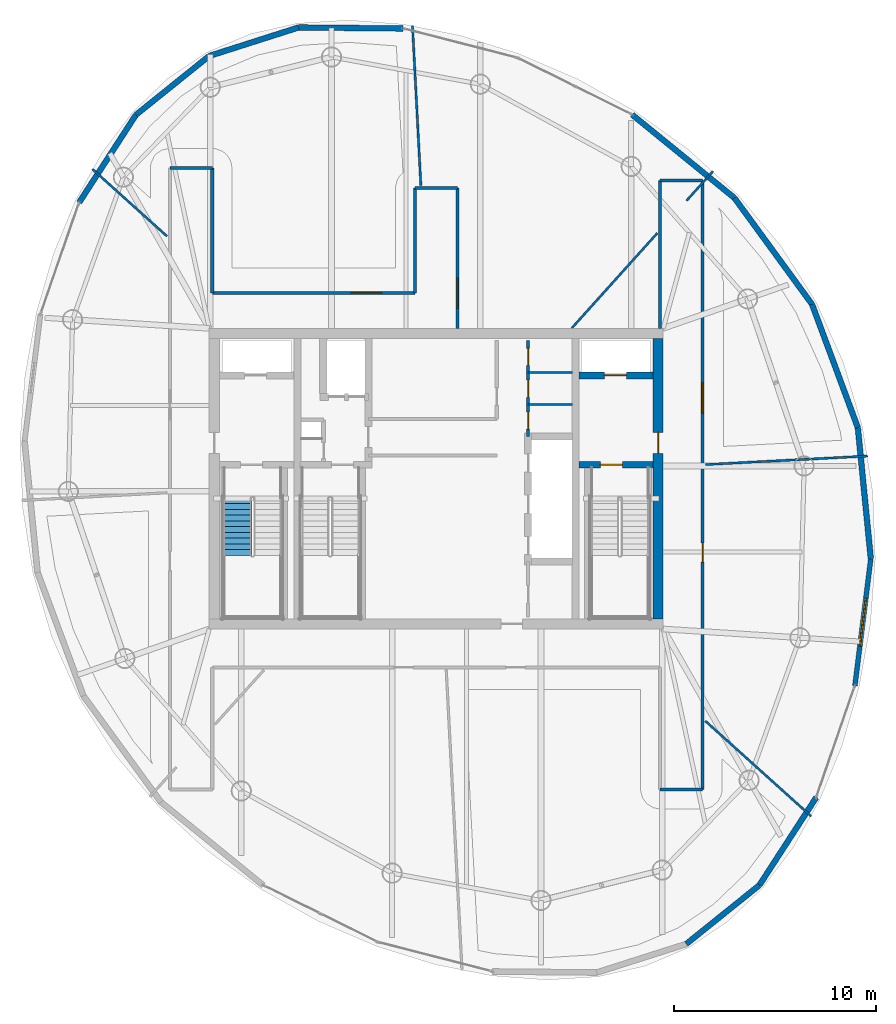
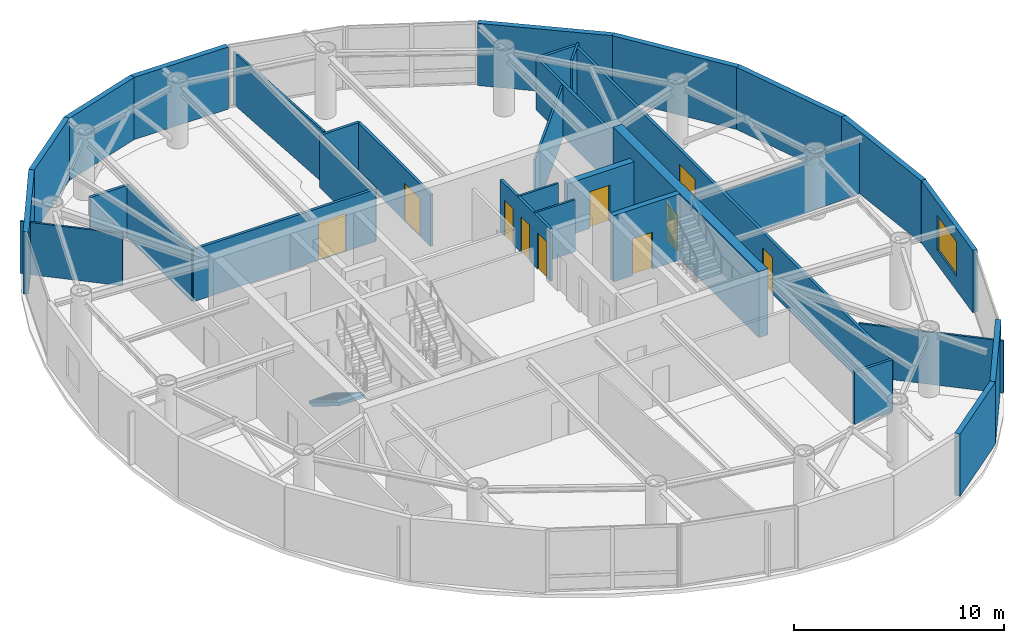
# One storey, part 13 of 17: 33 walls, 10 doors, 1 stair flight, 1 window, 11 openings, 1 element without a shape of its own.
"""IFC4 building model written with IfcOpenShell, lengths in metres."""

from ifc_helpers import new_model, si_unit, direction, frame, frame_2d, origin, place, context, subcontext, project, spatial, polyline, rectangle, outline, extrude, material, layer, layer_set, type_object, element, fill, aggregate, save


model = new_model("IFC4")

# Units and contexts
model_context = context("Model", 3, precision=1e-05, world=origin(), true_north=direction((0.0, 1.0)))
body_context = subcontext(model_context, "Body", "Model", "MODEL_VIEW")
ifc_project = project(units=[si_unit("LENGTHUNIT", "METRE"), si_unit("AREAUNIT", "SQUARE_METRE"), si_unit("VOLUMEUNIT", "CUBIC_METRE"), si_unit("PLANEANGLEUNIT", "RADIAN"), si_unit("MASSUNIT", "GRAM", prefix="KILO")], contexts=[model_context])

# Site, building, storey
site_placement = place(None, origin())
site = spatial("IfcSite", under=ifc_project, at=site_placement, CompositionType="ELEMENT")
building_placement = place(site_placement, origin())
building = spatial("IfcBuilding", under=site, at=building_placement, Name="Bramvorn Convention Spire", CompositionType="ELEMENT")
storey_placement = place(building_placement, frame((0.0, 0.0, 280.550048828125)))
storey = spatial("IfcBuildingStorey", under=building, at=storey_placement, Name="L71", CompositionType="ELEMENT", Elevation=280.550048828125)

# Wall, opening, door
ifc_material_1 = material(Name="Concrete C50/60", Category="concrete")
ifc_layer_1 = layer(ifc_material_1, 0.5)
ifc_layer_set_1 = layer_set([ifc_layer_1], Name="Concrete C50/60 - WL-CORE-500")
wall_type_1 = type_object("IfcWallType", Name="WL-CORE-500", PredefinedType="SHEAR", material=ifc_layer_set_1)
wall_1_placement = place(storey_placement, frame((49.0, 19.050048828125, 0.0), z_axis=(0.0, 0.0, 1.0), x_axis=(0.0, 1.0, 0.0)))
wall_1 = element("IfcWall", 1, at=wall_1_placement, inside=storey, type_object=wall_type_1, Name="L71 East RC core shear wall", PredefinedType="SHEAR", context=body_context, shape_type="SweptSolid", body=[
    extrude(rectangle(XDim=13.89990234375, YDim=0.5, at=frame_2d((6.949951171875, 0.0))), origin(), (0.0, 0.0, 1.0), 3.849853515625),
])
opening_1_placement = place(wall_1_placement, frame((8.199951171875, 0.0, 0.0)))
opening_1 = element("IfcOpeningElement", 2, at=opening_1_placement, cuts=wall_1, Name="Opening DL-105", PredefinedType="OPENING", context=body_context, shape_type="SweptSolid", body=[
    extrude(rectangle(XDim=1.050048828125, YDim=2.14990234375, at=frame_2d((0.52490234375, 1.074951171875))), frame((0.0, 0.260009765625, 0.0), z_axis=(0.0, -1.0, 0.0), x_axis=(1.0, 0.0, 0.0)), (0.0, 0.0, 1.0), 0.52001953125),
])
ifc_material_2 = material(Name="Smoke-Sealed Fire Lobby Timber-Core Door", Category="wood")
door_type_1 = type_object("IfcDoorType", Name="DR-LOBBY-1050", OperationType="NOTDEFINED", PredefinedType="DOOR", material=ifc_material_2)
door_1_placement = place(opening_1_placement, origin())
door_1 = element("IfcDoor", 3, at=door_1_placement, inside=storey, type_object=door_type_1, Name="L71 East Firefighting Lobby corridor door", OperationType="SINGLE_SWING_LEFT", OverallHeight=2.14990234375, OverallWidth=1.050048828125, PredefinedType="DOOR", context=body_context, shape_type="SweptSolid", body=[
    extrude(rectangle(XDim=1.050048828125, YDim=2.14990234375, at=frame_2d((0.52490234375, 1.074951171875))), frame((0.0, 0.02490234375, 0.0), z_axis=(0.0, -1.0, 0.0), x_axis=(1.0, 0.0, 0.0)), (0.0, 0.0, 1.0), 0.050048828125),
])
fill(opening_1, door_1)

ifc_layer_2 = layer(ifc_material_1, 0.35009765625)
ifc_layer_set_2 = layer_set([ifc_layer_2], Name="Concrete C50/60 - WL-CORE-INT-350")
wall_type_2 = type_object("IfcWallType", Name="WL-CORE-INT-350", PredefinedType="SHEAR", material=ifc_layer_set_2)
wall_2_placement = place(storey_placement, frame((45.080078125, 31.1201171875, 0.0), z_axis=(0.0, 0.0, 1.0), x_axis=(1.0, 0.0, 0.0)))
wall_2 = element("IfcWall", 4, at=wall_2_placement, inside=storey, type_object=wall_type_2, Name="L71 FE2 shaft front wall", PredefinedType="SHEAR", context=body_context, shape_type="SweptSolid", body=[
    extrude(rectangle(XDim=3.669921875, YDim=0.35009765625, at=frame_2d((1.8349609375, 0.0))), origin(), (0.0, 0.0, 1.0), 3.0400390625),
])
opening_2_placement = place(wall_2_placement, frame((1.25, 0.0, 0.0)))
opening_2 = element("IfcOpeningElement", 5, at=opening_2_placement, cuts=wall_2, Name="Opening LD-110", PredefinedType="OPENING", context=body_context, shape_type="SweptSolid", body=[
    extrude(rectangle(XDim=1.10009765625, YDim=2.14990234375, at=frame_2d((0.550048828125, 1.074951171875))), frame((0.0, 0.18505859375, 0.0), z_axis=(0.0, -1.0, 0.0), x_axis=(1.0, 0.0, 0.0)), (0.0, 0.0, 1.0), 0.3701171875),
])
ifc_material_3 = material(Name="Firefighting & Service Lift Sliding Landing Door", Category="steel")
door_type_2 = type_object("IfcDoorType", Name="DR-LIFT-LD-1100", OperationType="NOTDEFINED", PredefinedType="DOOR", material=ifc_material_3)
door_2_placement = place(opening_2_placement, origin())
door_2 = element("IfcDoor", 6, at=door_2_placement, inside=storey, type_object=door_type_2, Name="L71 Lift FE2 Sliding Landing Door", OperationType="SLIDING_TO_LEFT", OverallHeight=2.14990234375, OverallWidth=1.10009765625, PredefinedType="DOOR", context=body_context, shape_type="SweptSolid", body=[
    extrude(rectangle(XDim=1.10009765625, YDim=2.14990234375, at=frame_2d((0.550048828125, 1.074951171875))), frame((0.0, 0.02490234375, 0.0), z_axis=(0.0, -1.0, 0.0), x_axis=(1.0, 0.0, 0.0)), (0.0, 0.0, 1.0), 0.050048828125),
])
fill(opening_2, door_2)

# Walls
ifc_material_4 = material(Name="Precast Concrete C40/50 with Bronze Terracotta Rainscreen", Category="masonry")
ifc_layer_3 = layer(ifc_material_4, 0.300048828125)
ifc_layer_set_3 = layer_set([ifc_layer_3], Name="Precast Concrete C40/50 with Bronze Terracotta Rainscreen - WL-EXT-BRONZE-300")
wall_type_3 = type_object("IfcWallType", Name="WL-EXT-BRONZE-300", PredefinedType="SOLIDWALL", material=ifc_layer_set_3)
wall_3_placement = place(storey_placement, frame((54.01611328125, 5.85205078125, 0.0), z_axis=(0.0, 0.0, 1.0), x_axis=(-0.779376173467, -0.626556286564, 0.0)))
element("IfcWall", 7, at=wall_3_placement, inside=storey, type_object=wall_type_3, Name="L71 expressed bronze Gothic lancet pier wall 01", PredefinedType="SOLIDWALL", context=body_context, shape_type="SweptSolid", body=[
    extrude(rectangle(XDim=4.650634765625, YDim=0.280029296875, at=frame_2d((2.3251953125, 0.0))), origin(), (0.0, 0.0, 1.0), 3.625),
])
wall_4_placement = place(storey_placement, frame((56.832763671875, 10.198486328125, 0.0), z_axis=(0.0, 0.0, 1.0), x_axis=(-0.543829680386, -0.839195614104, 0.0)))
element("IfcWall", 8, at=wall_4_placement, inside=storey, type_object=wall_type_3, Name="L71 expressed bronze Gothic lancet pier wall 02", PredefinedType="SOLIDWALL", context=body_context, shape_type="SweptSolid", body=[
    extrude(rectangle(XDim=5.17919921875, YDim=0.280029296875, at=frame_2d((2.589599609375, 0.0))), origin(), (0.0, 0.0, 1.0), 3.625),
])

# Wall, opening, window
wall_5_placement = place(storey_placement, frame((59.538330078125, 22.03173828125, 0.0), z_axis=(0.0, 0.0, 1.0), x_axis=(-0.124124709547, -0.992266625701, 0.0)))
wall_5 = element("IfcWall", 9, at=wall_5_placement, inside=storey, type_object=wall_type_3, Name="L71 bronze ceramic-frit spandrel & operable window bay 04", PredefinedType="SOLIDWALL", context=body_context, shape_type="SweptSolid", body=[
    extrude(rectangle(XDim=6.34521484375, YDim=0.239990234375, at=frame_2d((3.172607421875, 0.0))), origin(), (0.0, 0.0, 1.0), 3.625),
])
opening_3_placement = place(wall_5_placement, frame((1.97265625, 0.0, 0.85009765625)))
opening_3 = element("IfcOpeningElement", 10, at=opening_3_placement, cuts=wall_5, Name="Opening WN05", PredefinedType="OPENING", context=body_context, shape_type="SweptSolid", body=[
    extrude(rectangle(XDim=2.39990234375, YDim=2.0, at=frame_2d((1.199951171875, 1.0))), frame((0.0, 0.1298828125, 0.0), z_axis=(0.0, -1.0, 0.0), x_axis=(1.0, 0.0, 0.0)), (0.0, 0.0, 1.0), 0.260009765625),
])
ifc_material_5 = material(Name="Thermally Broken Bronze Aluminium & Triple Low-E Glass", Category="aluminium")
window_type = type_object("IfcWindowType", Name="WN-OP-2400X2000", PartitioningType="SINGLE_PANEL", PredefinedType="WINDOW", material=ifc_material_5)
window_placement = place(opening_3_placement, origin())
window = element("IfcWindow", 11, at=window_placement, inside=storey, type_object=window_type, Name="L71 operable parallel-vent window 04", OverallHeight=2.0, OverallWidth=2.39990234375, PartitioningType="SINGLE_PANEL", PredefinedType="WINDOW", context=body_context, shape_type="SweptSolid", body=[
    extrude(rectangle(XDim=2.39990234375, YDim=2.0, at=frame_2d((1.199951171875, 1.0))), frame((0.0, 0.030029296875, 0.0), z_axis=(0.0, -1.0, 0.0), x_axis=(1.0, 0.0, 0.0)), (0.0, 0.0, 1.0), 0.06005859375),
])
fill(opening_3, window)

# Walls
wall_6_placement = place(storey_placement, frame((58.896484375, 28.5263671875, 0.0), z_axis=(0.0, 0.0, 1.0), x_axis=(0.098348049648, -0.995152079398, 0.0)))
element("IfcWall", 12, at=wall_6_placement, inside=storey, type_object=wall_type_3, Name="L71 expressed bronze Gothic lancet pier wall 05", PredefinedType="SOLIDWALL", context=body_context, shape_type="SweptSolid", body=[
    extrude(rectangle(XDim=6.5263671875, YDim=0.280029296875, at=frame_2d((3.26318359375, 0.0))), origin(), (0.0, 0.0, 1.0), 3.625),
])
wall_7_placement = place(storey_placement, frame((56.624755859375, 34.645263671875, 0.0), z_axis=(0.0, 0.0, 1.0), x_axis=(0.348051289259, -0.937475493037, 0.0)))
element("IfcWall", 13, at=wall_7_placement, inside=storey, type_object=wall_type_3, Name="L71 expressed bronze Gothic lancet pier wall 06", PredefinedType="SOLIDWALL", context=body_context, shape_type="SweptSolid", body=[
    extrude(rectangle(XDim=6.527099609375, YDim=0.280029296875, at=frame_2d((3.263671875, 0.0))), origin(), (0.0, 0.0, 1.0), 3.625),
])
wall_8_placement = place(storey_placement, frame((52.7763671875, 39.916748046875, 0.0), z_axis=(0.0, 0.0, 1.0), x_axis=(0.589632000938, -0.807672027168, 0.0)))
element("IfcWall", 14, at=wall_8_placement, inside=storey, type_object=wall_type_3, Name="L71 expressed bronze Gothic lancet pier wall 07", PredefinedType="SOLIDWALL", context=body_context, shape_type="SweptSolid", body=[
    extrude(rectangle(XDim=6.52685546875, YDim=0.280029296875, at=frame_2d((3.263427734375, 0.0))), origin(), (0.0, 0.0, 1.0), 3.625),
])
wall_9_placement = place(storey_placement, frame((47.714599609375, 44.03662109375, 0.0), z_axis=(0.0, 0.0, 1.0), x_axis=(0.775574781084, -0.63125570013, 0.0)))
element("IfcWall", 15, at=wall_9_placement, inside=storey, type_object=wall_type_3, Name="L71 expressed bronze Gothic lancet pier wall 08", PredefinedType="SOLIDWALL", context=body_context, shape_type="SweptSolid", body=[
    extrude(rectangle(XDim=6.5263671875, YDim=0.280029296875, at=frame_2d((3.26318359375, 0.0))), origin(), (0.0, 0.0, 1.0), 3.625),
])
wall_10_placement = place(storey_placement, frame((31.1748046875, 48.36181640625, 0.0), z_axis=(0.0, 0.0, 1.0), x_axis=(0.999952851319, -0.009710568395, 0.0)))
element("IfcWall", 16, at=wall_10_placement, inside=storey, type_object=wall_type_3, Name="L71 expressed bronze Gothic lancet pier wall 11", PredefinedType="SOLIDWALL", context=body_context, shape_type="SweptSolid", body=[
    extrude(rectangle(XDim=5.17919921875, YDim=0.280029296875, at=frame_2d((2.589599609375, 0.0))), origin(), (0.0, 0.0, 1.0), 3.625),
])
for number, where, z_axis, x_axis, name in (
    (17, (26.744384765625, 46.947509765625, 0.0), (0.0, 0.0, 1.0), (0.952637856916, 0.304107075831, 0.0), "L71 expressed bronze Gothic lancet pier wall 12"),
    (18, (23.119873046875, 44.03369140625, 0.0), (0.0, 0.0, 1.0), (0.779376173467, 0.626556286564, 0.0), "L71 expressed bronze Gothic lancet pier wall 13"),
):
    element("IfcWall", number, at=place(storey_placement, frame(where, z_axis=z_axis, x_axis=x_axis)), inside=storey, type_object=wall_type_3, Name=name, PredefinedType="SOLIDWALL", context=body_context, shape_type="SweptSolid", body=[
        extrude(rectangle(XDim=4.650634765625, YDim=0.280029296875, at=frame_2d((2.3251953125, 0.0))), origin(), (0.0, 0.0, 1.0), 3.625),
    ])
wall_11_placement = place(storey_placement, frame((20.30322265625, 39.6875, 0.0), z_axis=(0.0, 0.0, 1.0), x_axis=(0.543851193818, 0.839181672216, 0.0)))
element("IfcWall", 19, at=wall_11_placement, inside=storey, type_object=wall_type_3, Name="L71 expressed bronze Gothic lancet pier wall 14", PredefinedType="SOLIDWALL", context=body_context, shape_type="SweptSolid", body=[
    extrude(rectangle(XDim=5.17919921875, YDim=0.280029296875, at=frame_2d((2.589599609375, 0.0))), origin(), (0.0, 0.0, 1.0), 3.625),
])
ifc_material_6 = material(Name="Lightweight En-Suite & Wet-Wall Partition", Category="gypsum")
ifc_layer_4 = layer(ifc_material_6, 0.110107421875)
ifc_layer_set_4 = layer_set([ifc_layer_4], Name="Lightweight En-Suite & Wet-Wall Partition - WL-PART-110")
wall_type_4 = type_object("IfcWallType", Name="WL-PART-110", PredefinedType="PARTITIONING", material=ifc_layer_set_4)
for number, where, z_axis, x_axis, name in (
    (20, (42.550048828125, 29.679931640625, 0.0), (0.0, 0.0, 1.0), (1.0, 0.0, 0.0), "L71 KC NE div 1"),
    (21, (42.550048828125, 31.260009765625, 0.0), (0.0, 0.0, 1.0), (1.0, 0.0, 0.0), "L71 KC NE div 2"),
):
    element("IfcWall", number, at=place(storey_placement, frame(where, z_axis=z_axis, x_axis=x_axis)), inside=storey, type_object=wall_type_4, Name=name, PredefinedType="PARTITIONING", context=body_context, shape_type="SweptSolid", body=[
        extrude(rectangle(XDim=2.199951171875, YDim=0.110107421875, at=frame_2d((1.10009765625, 0.0))), origin(), (0.0, 0.0, 1.0), 3.0400390625),
    ])
wall_12_placement = place(storey_placement, frame((51.340087890625, 26.69921875, 0.0), z_axis=(0.0, 0.0, 1.0), x_axis=(0.998630437158, 0.052318734528, 0.0)))
element("IfcWall", 22, at=wall_12_placement, inside=storey, type_object=wall_type_4, Name="L71 Tenant suite partition 1", PredefinedType="PARTITIONING", context=body_context, shape_type="SweptSolid", body=[
    extrude(rectangle(XDim=8.058837890625, YDim=0.110107421875, at=frame_2d((4.029296875, 0.0))), origin(), (0.0, 0.0, 1.0), 3.0400390625),
])
wall_13_placement = place(storey_placement, frame((44.72607421875, 33.469970703125, 0.0), z_axis=(0.0, 0.0, 1.0), x_axis=(0.669116067624, 0.743157915956, 0.0)))
element("IfcWall", 23, at=wall_13_placement, inside=storey, type_object=wall_type_4, Name="L71 Tenant suite partition 2", PredefinedType="PARTITIONING", context=body_context, shape_type="SweptSolid", body=[
    extrude(rectangle(XDim=6.32763671875, YDim=0.110107421875, at=frame_2d((3.163818359375, 0.0))), origin(), (0.0, 0.0, 1.0), 3.0400390625),
])
wall_14_placement = place(storey_placement, frame((50.408203125, 39.78076171875, 0.0), z_axis=(0.0, 0.0, 1.0), x_axis=(0.66912938547, 0.743145924769, 0.0)))
element("IfcWall", 24, at=wall_14_placement, inside=storey, type_object=wall_type_4, Name="L71 Tenant suite partition 2", PredefinedType="PARTITIONING", context=body_context, shape_type="SweptSolid", body=[
    extrude(rectangle(XDim=1.9658203125, YDim=0.110107421875, at=frame_2d((0.98291015625, 0.0))), origin(), (0.0, 0.0, 1.0), 3.0400390625),
])
wall_15_placement = place(storey_placement, frame((37.238037109375, 40.5400390625, 0.0), z_axis=(0.0, 0.0, 1.0), x_axis=(-0.052344145165, 0.998629105558, 0.0)))
element("IfcWall", 25, at=wall_15_placement, inside=storey, type_object=wall_type_4, Name="L71 Tenant suite partition 3", PredefinedType="PARTITIONING", context=body_context, shape_type="SweptSolid", body=[
    extrude(rectangle(XDim=7.9384765625, YDim=0.110107421875, at=frame_2d((3.96923828125, 0.0))), origin(), (0.0, 0.0, 1.0), 3.0400390625),
])
wall_16_placement = place(storey_placement, frame((24.659912109375, 38.011474609375, 0.0), z_axis=(0.0, 0.0, 1.0), x_axis=(-0.743140900874, 0.669134965047, 0.0)))
element("IfcWall", 26, at=wall_16_placement, inside=storey, type_object=wall_type_4, Name="L71 Tenant suite partition 4", PredefinedType="PARTITIONING", context=body_context, shape_type="SweptSolid", body=[
    extrude(rectangle(XDim=4.9912109375, YDim=0.110107421875, at=frame_2d((2.49560546875, 0.0))), origin(), (0.0, 0.0, 1.0), 3.0400390625),
])
wall_17_placement = place(storey_placement, frame((51.340087890625, 13.988525390625, 0.0), z_axis=(0.0, 0.0, 1.0), x_axis=(0.74315840834, -0.669115520754, 0.0)))
element("IfcWall", 27, at=wall_17_placement, inside=storey, type_object=wall_type_4, Name="L71 Tenant suite partition 8", PredefinedType="PARTITIONING", context=body_context, shape_type="SweptSolid", body=[
    extrude(rectangle(XDim=7.066162109375, YDim=0.110107421875, at=frame_2d((3.533203125, 0.0))), origin(), (0.0, 0.0, 1.0), 3.0400390625),
])

# Wall, openings, doors
ifc_material_7 = material(Name="Acoustic Metal-Stud Tenant/Corridor Partition", Category="gypsum")
ifc_layer_5 = layer(ifc_material_7, 0.14990234375)
ifc_layer_set_5 = layer_set([ifc_layer_5], Name="Acoustic Metal-Stud Tenant/Corridor Partition - WL-PART-150")
wall_type_5 = type_object("IfcWallType", Name="WL-PART-150", PredefinedType="PARTITIONING", material=ifc_layer_set_5)
wall_18_placement = place(storey_placement, frame((42.550048828125, 28.10009765625, 0.0), z_axis=(0.0, 0.0, 1.0), x_axis=(0.0, 1.0, 0.0)))
wall_18 = element("IfcWall", 28, at=wall_18_placement, inside=storey, type_object=wall_type_5, Name="L71 KC NE wall", PredefinedType="PARTITIONING", context=body_context, shape_type="SweptSolid", body=[
    extrude(rectangle(XDim=4.75, YDim=0.14990234375, at=frame_2d((2.375, 0.0))), origin(), (0.0, 0.0, 1.0), 3.0400390625),
])
opening_4_placement = place(wall_18_placement, frame((0.35009765625, 0.0, 0.0)))
opening_4 = element("IfcOpeningElement", 29, at=opening_4_placement, cuts=wall_18, Name="Opening DC-085", PredefinedType="OPENING", context=body_context, shape_type="SweptSolid", body=[
    extrude(rectangle(XDim=0.85009765625, YDim=2.10009765625, at=frame_2d((0.425048828125, 1.050048828125))), frame((0.0, 0.0849609375, 0.0), z_axis=(0.0, -1.0, 0.0), x_axis=(1.0, 0.0, 0.0)), (0.0, 0.0, 1.0), 0.169921875),
])
opening_5_placement = place(wall_18_placement, frame((1.929931640625, 0.0, 0.0)))
opening_5 = element("IfcOpeningElement", 30, at=opening_5_placement, cuts=wall_18, Name="Opening DC-085", PredefinedType="OPENING", context=body_context, shape_type="SweptSolid", body=[
    extrude(rectangle(XDim=0.85009765625, YDim=2.10009765625, at=frame_2d((0.425048828125, 1.050048828125))), frame((0.0, 0.0849609375, 0.0), z_axis=(0.0, -1.0, 0.0), x_axis=(1.0, 0.0, 0.0)), (0.0, 0.0, 1.0), 0.169921875),
])
opening_6_placement = place(wall_18_placement, frame((3.510009765625, 0.0, 0.0)))
opening_6 = element("IfcOpeningElement", 31, at=opening_6_placement, cuts=wall_18, Name="Opening DC-085", PredefinedType="OPENING", context=body_context, shape_type="SweptSolid", body=[
    extrude(rectangle(XDim=0.85009765625, YDim=2.10009765625, at=frame_2d((0.425048828125, 1.050048828125))), frame((0.0, 0.0849609375, 0.0), z_axis=(0.0, -1.0, 0.0), x_axis=(1.0, 0.0, 0.0)), (0.0, 0.0, 1.0), 0.169921875),
])
ifc_material_8 = material(Name="Fire-Rated Core Washroom & IDF Door", Category="wood")
door_type_3 = type_object("IfcDoorType", Name="DR-CORE-850", OperationType="NOTDEFINED", PredefinedType="DOOR", material=ifc_material_8)
door_3_placement = place(opening_4_placement, origin())
door_3 = element("IfcDoor", 32, at=door_3_placement, inside=storey, type_object=door_type_3, Name="L71 Accessible Core Restroom door", OperationType="SINGLE_SWING_LEFT", OverallHeight=2.10009765625, OverallWidth=0.85009765625, PredefinedType="DOOR", context=body_context, shape_type="SweptSolid", body=[
    extrude(rectangle(XDim=0.85009765625, YDim=2.10009765625, at=frame_2d((0.425048828125, 1.050048828125))), frame((0.0, 0.02490234375, 0.0), z_axis=(0.0, -1.0, 0.0), x_axis=(1.0, 0.0, 0.0)), (0.0, 0.0, 1.0), 0.050048828125),
])
fill(opening_4, door_3)
door_4_placement = place(opening_5_placement, origin())
door_4 = element("IfcDoor", 33, at=door_4_placement, inside=storey, type_object=door_type_3, Name="L71 Tenant Pantry & Copy Centre door", OperationType="SINGLE_SWING_LEFT", OverallHeight=2.10009765625, OverallWidth=0.85009765625, PredefinedType="DOOR", context=body_context, shape_type="SweptSolid", body=[
    extrude(rectangle(XDim=0.85009765625, YDim=2.10009765625, at=frame_2d((0.425048828125, 1.050048828125))), frame((0.0, 0.02490234375, 0.0), z_axis=(0.0, -1.0, 0.0), x_axis=(1.0, 0.0, 0.0)), (0.0, 0.0, 1.0), 0.050048828125),
])
fill(opening_5, door_4)
door_5_placement = place(opening_6_placement, origin())
door_5 = element("IfcDoor", 34, at=door_5_placement, inside=storey, type_object=door_type_3, Name="L71 Core Comms Closet door", OperationType="SINGLE_SWING_LEFT", OverallHeight=2.10009765625, OverallWidth=0.85009765625, PredefinedType="DOOR", context=body_context, shape_type="SweptSolid", body=[
    extrude(rectangle(XDim=0.85009765625, YDim=2.10009765625, at=frame_2d((0.425048828125, 1.050048828125))), frame((0.0, 0.02490234375, 0.0), z_axis=(0.0, -1.0, 0.0), x_axis=(1.0, 0.0, 0.0)), (0.0, 0.0, 1.0), 0.050048828125),
])
fill(opening_6, door_5)

# Wall, opening, door
wall_19_placement = place(storey_placement, frame((26.89990234375, 35.199951171875, 0.0), z_axis=(0.0, 0.0, 1.0), x_axis=(1.0, 0.0, 0.0)))
wall_19 = element("IfcWall", 35, at=wall_19_placement, inside=storey, type_object=wall_type_5, Name="L71 North-west spur link wall", PredefinedType="PARTITIONING", context=body_context, shape_type="SweptSolid", body=[
    extrude(rectangle(XDim=10.050048828125, YDim=0.14990234375, at=frame_2d((5.02490234375, 0.0))), origin(), (0.0, 0.0, 1.0), 3.0400390625),
])
opening_7_placement = place(wall_19_placement, frame((6.888427734375, 0.0, 0.0)))
opening_7 = element("IfcOpeningElement", 36, at=opening_7_placement, cuts=wall_19, Name="Opening DC-150", PredefinedType="OPENING", context=body_context, shape_type="SweptSolid", body=[
    extrude(rectangle(XDim=1.5, YDim=2.199951171875, at=frame_2d((0.75, 1.10009765625))), frame((0.0, 0.0849609375, 0.0), z_axis=(0.0, -1.0, 0.0), x_axis=(1.0, 0.0, 0.0)), (0.0, 0.0, 1.0), 0.169921875),
])
ifc_material_9 = material(Name="Double-Leaf Smoke-Control Corridor Door", Category="wood")
door_type_4 = type_object("IfcDoorType", Name="DR-COR-1500", OperationType="NOTDEFINED", PredefinedType="DOOR", material=ifc_material_9)
door_6_placement = place(opening_7_placement, origin())
door_6 = element("IfcDoor", 37, at=door_6_placement, inside=storey, type_object=door_type_4, Name="L71 Trader Dining Cafe 1 3 door", OperationType="DOUBLE_DOOR_SINGLE_SWING", OverallHeight=2.199951171875, OverallWidth=1.5, PredefinedType="DOOR", context=body_context, shape_type="SweptSolid", body=[
    extrude(rectangle(XDim=1.5, YDim=2.199951171875, at=frame_2d((0.75, 1.10009765625))), frame((0.0, 0.02490234375, 0.0), z_axis=(0.0, -1.0, 0.0), x_axis=(1.0, 0.0, 0.0)), (0.0, 0.0, 1.0), 0.050048828125),
])
fill(opening_7, door_6)

# Walls
wall_20_placement = place(storey_placement, frame((26.89990234375, 35.199951171875, 0.0), z_axis=(0.0, 0.0, 1.0), x_axis=(0.0, 1.0, 0.0)))
element("IfcWall", 38, at=wall_20_placement, inside=storey, type_object=wall_type_5, Name="L71 West gallery NE wall", PredefinedType="PARTITIONING", context=body_context, shape_type="SweptSolid", body=[
    extrude(rectangle(XDim=6.199951171875, YDim=0.14990234375, at=frame_2d((3.10009765625, 0.0))), origin(), (0.0, 0.0, 1.0), 3.0400390625),
])
wall_21_placement = place(storey_placement, frame((24.800048828125, 41.39990234375, 0.0), z_axis=(0.0, 0.0, 1.0), x_axis=(1.0, 0.0, 0.0)))
element("IfcWall", 39, at=wall_21_placement, inside=storey, type_object=wall_type_5, Name="L71 West gallery north end", PredefinedType="PARTITIONING", context=body_context, shape_type="SweptSolid", body=[
    extrude(rectangle(XDim=2.099853515625, YDim=0.14990234375, at=frame_2d((1.0498046875, 0.0))), origin(), (0.0, 0.0, 1.0), 3.0400390625),
])

# Wall, openings, doors
wall_22_placement = place(storey_placement, frame((51.199951171875, 10.60009765625, 0.0), z_axis=(0.0, 0.0, 1.0), x_axis=(0.0, 1.0, 0.0)))
wall_22 = element("IfcWall", 40, at=wall_22_placement, inside=storey, type_object=wall_type_5, Name="L71 East N-S gallery outer wall", PredefinedType="PARTITIONING", context=body_context, shape_type="SweptSolid", body=[
    extrude(rectangle(XDim=30.173095703125, YDim=0.14990234375, at=frame_2d((15.08642578125, 0.0))), origin(), (0.0, 0.0, 1.0), 3.0400390625),
])
opening_8_placement = place(wall_22_placement, frame((18.644775390625, 0.0, 0.0)))
opening_8 = element("IfcOpeningElement", 41, at=opening_8_placement, cuts=wall_22, Name="Opening DC-150", PredefinedType="OPENING", context=body_context, shape_type="SweptSolid", body=[
    extrude(rectangle(XDim=1.5, YDim=2.199951171875, at=frame_2d((0.75, 1.10009765625))), frame((0.0, 0.0849609375, 0.0), z_axis=(0.0, -1.0, 0.0), x_axis=(1.0, 0.0, 0.0)), (0.0, 0.0, 1.0), 0.169921875),
])
opening_9_placement = place(wall_22_placement, frame((11.2607421875, 0.0, 0.0)))
opening_9 = element("IfcOpeningElement", 42, at=opening_9_placement, cuts=wall_22, Name="Opening DH-095", PredefinedType="OPENING", context=body_context, shape_type="SweptSolid", body=[
    extrude(rectangle(XDim=0.949951171875, YDim=2.14990234375, at=frame_2d((0.47509765625, 1.074951171875))), frame((0.0, 0.0849609375, 0.0), z_axis=(0.0, -1.0, 0.0), x_axis=(1.0, 0.0, 0.0)), (0.0, 0.0, 1.0), 0.169921875),
])
door_7_placement = place(opening_8_placement, origin())
door_7 = element("IfcDoor", 43, at=door_7_placement, inside=storey, type_object=door_type_4, Name="L71 Quantitative Office Desk West 1 door", OperationType="DOUBLE_DOOR_SINGLE_SWING", OverallHeight=2.199951171875, OverallWidth=1.5, PredefinedType="DOOR", context=body_context, shape_type="SweptSolid", body=[
    extrude(rectangle(XDim=1.5, YDim=2.199951171875, at=frame_2d((0.75, 1.10009765625))), frame((0.0, 0.02490234375, 0.0), z_axis=(0.0, -1.0, 0.0), x_axis=(1.0, 0.0, 0.0)), (0.0, 0.0, 1.0), 0.050048828125),
])
fill(opening_8, door_7)
ifc_material_10 = material(Name="Solid-Core Acoustic Guestroom Entry Door", Category="wood")
door_type_5 = type_object("IfcDoorType", Name="DR-HOTEL-950", OperationType="NOTDEFINED", PredefinedType="DOOR", material=ifc_material_10)
door_8_placement = place(opening_9_placement, origin())
door_8 = element("IfcDoor", 44, at=door_8_placement, inside=storey, type_object=door_type_5, Name="L71 Tenant Briefing Room 8 door", OperationType="SINGLE_SWING_LEFT", OverallHeight=2.14990234375, OverallWidth=0.949951171875, PredefinedType="DOOR", context=body_context, shape_type="SweptSolid", body=[
    extrude(rectangle(XDim=0.949951171875, YDim=2.14990234375, at=frame_2d((0.47509765625, 1.074951171875))), frame((0.0, 0.02490234375, 0.0), z_axis=(0.0, -1.0, 0.0), x_axis=(1.0, 0.0, 0.0)), (0.0, 0.0, 1.0), 0.050048828125),
])
fill(opening_9, door_8)

# Walls
wall_23_placement = place(storey_placement, frame((49.10009765625, 33.449951171875, 0.0), z_axis=(0.0, 0.0, 1.0), x_axis=(0.0, 1.0, 0.0)))
element("IfcWall", 45, at=wall_23_placement, inside=storey, type_object=wall_type_5, Name="L71 East gallery NW wall", PredefinedType="PARTITIONING", context=body_context, shape_type="SweptSolid", body=[
    extrude(rectangle(XDim=7.3232421875, YDim=0.14990234375, at=frame_2d((3.66162109375, 0.0))), origin(), (0.0, 0.0, 1.0), 3.0400390625),
])
for number, where, z_axis, x_axis, name in (
    (46, (49.10009765625, 10.60009765625, 0.0), (0.0, 0.0, 1.0), (1.0, 0.0, 0.0), "L71 East gallery south end"),
    (47, (49.10009765625, 40.773193359375, 0.0), (0.0, 0.0, 1.0), (1.0, 0.0, 0.0), "L71 East gallery north end"),
):
    element("IfcWall", number, at=place(storey_placement, frame(where, z_axis=z_axis, x_axis=x_axis)), inside=storey, type_object=wall_type_5, Name=name, PredefinedType="PARTITIONING", context=body_context, shape_type="SweptSolid", body=[
        extrude(rectangle(XDim=2.099853515625, YDim=0.14990234375, at=frame_2d((1.0498046875, 0.0))), origin(), (0.0, 0.0, 1.0), 3.0400390625),
    ])
wall_24_placement = place(storey_placement, frame((36.949951171875, 35.199951171875, 0.0), z_axis=(0.0, 0.0, 1.0), x_axis=(0.0, 1.0, 0.0)))
element("IfcWall", 48, at=wall_24_placement, inside=storey, type_object=wall_type_5, Name="L71 North spur west wall", PredefinedType="PARTITIONING", context=body_context, shape_type="SweptSolid", body=[
    extrude(rectangle(XDim=5.199951171875, YDim=0.14990234375, at=frame_2d((2.60009765625, 0.0))), origin(), (0.0, 0.0, 1.0), 3.0400390625),
])

# Wall, opening, door
wall_25_placement = place(storey_placement, frame((39.050048828125, 33.449951171875, 0.0), z_axis=(0.0, 0.0, 1.0), x_axis=(0.0, 1.0, 0.0)))
wall_25 = element("IfcWall", 49, at=wall_25_placement, inside=storey, type_object=wall_type_5, Name="L71 North spur east wall", PredefinedType="PARTITIONING", context=body_context, shape_type="SweptSolid", body=[
    extrude(rectangle(XDim=6.949951171875, YDim=0.14990234375, at=frame_2d((3.47509765625, 0.0))), origin(), (0.0, 0.0, 1.0), 3.0400390625),
])
opening_10_placement = place(wall_25_placement, frame((0.987548828125, 0.0, 0.0)))
opening_10 = element("IfcOpeningElement", 50, at=opening_10_placement, cuts=wall_25, Name="Opening DC-150", PredefinedType="OPENING", context=body_context, shape_type="SweptSolid", body=[
    extrude(rectangle(XDim=1.5, YDim=2.199951171875, at=frame_2d((0.75, 1.10009765625))), frame((0.0, 0.0849609375, 0.0), z_axis=(0.0, -1.0, 0.0), x_axis=(1.0, 0.0, 0.0)), (0.0, 0.0, 1.0), 0.169921875),
])
door_9_placement = place(opening_10_placement, origin())
door_9 = element("IfcDoor", 51, at=door_9_placement, inside=storey, type_object=door_type_4, Name="L71 Equities Office Desk East 2 door", OperationType="DOUBLE_DOOR_SINGLE_SWING", OverallHeight=2.199951171875, OverallWidth=1.5, PredefinedType="DOOR", context=body_context, shape_type="SweptSolid", body=[
    extrude(rectangle(XDim=1.5, YDim=2.199951171875, at=frame_2d((0.75, 1.10009765625))), frame((0.0, 0.02490234375, 0.0), z_axis=(0.0, -1.0, 0.0), x_axis=(1.0, 0.0, 0.0)), (0.0, 0.0, 1.0), 0.050048828125),
])
fill(opening_10, door_9)

# Wall
wall_26_placement = place(storey_placement, frame((36.949951171875, 40.39990234375, 0.0), z_axis=(0.0, 0.0, 1.0), x_axis=(1.0, 0.0, 0.0)))
element("IfcWall", 52, at=wall_26_placement, inside=storey, type_object=wall_type_5, Name="L71 North spur end wall", PredefinedType="PARTITIONING", context=body_context, shape_type="SweptSolid", body=[
    extrude(rectangle(XDim=2.10009765625, YDim=0.14990234375, at=frame_2d((1.050048828125, 0.0))), origin(), (0.0, 0.0, 1.0), 3.0400390625),
])

# Wall, opening, door
ifc_layer_6 = layer(ifc_material_1, 0.300048828125)
ifc_layer_set_6 = layer_set([ifc_layer_6], Name="Concrete C50/60 - WL-POD-STAIR-300")
wall_type_6 = type_object("IfcWallType", Name="WL-POD-STAIR-300", PredefinedType="SHEAR", material=ifc_layer_set_6)
wall_27_placement = place(storey_placement, frame((45.080078125, 26.68994140625, 0.0), z_axis=(0.0, 0.0, 1.0), x_axis=(1.0, 0.0, 0.0)))
wall_27 = element("IfcWall", 53, at=wall_27_placement, inside=storey, type_object=wall_type_6, Name="L71 ST2 north fire wall", PredefinedType="SHEAR", context=body_context, shape_type="SweptSolid", body=[
    extrude(rectangle(XDim=3.669921875, YDim=0.300048828125, at=frame_2d((1.8349609375, 0.0))), origin(), (0.0, 0.0, 1.0), 3.849853515625),
])
opening_11_placement = place(wall_27_placement, frame((1.050048828125, 0.0, 0.0)))
opening_11 = element("IfcOpeningElement", 54, at=opening_11_placement, cuts=wall_27, Name="Opening DS-110", PredefinedType="OPENING", context=body_context, shape_type="SweptSolid", body=[
    extrude(rectangle(XDim=1.10009765625, YDim=2.14990234375, at=frame_2d((0.550048828125, 1.074951171875))), frame((0.0, 0.159912109375, 0.0), z_axis=(0.0, -1.0, 0.0), x_axis=(1.0, 0.0, 0.0)), (0.0, 0.0, 1.0), 0.320068359375),
])
ifc_material_11 = material(Name="Fire-Rated Hollow Steel Stairwell Door", Category="steel")
door_type_6 = type_object("IfcDoorType", Name="DR-STAIR-1100", OperationType="NOTDEFINED", PredefinedType="DOOR", material=ifc_material_11)
door_10_placement = place(opening_11_placement, origin())
door_10 = element("IfcDoor", 55, at=door_10_placement, inside=storey, type_object=door_type_6, Name="L71 Stair ST2 fire door", OperationType="SINGLE_SWING_RIGHT", OverallHeight=2.14990234375, OverallWidth=1.10009765625, PredefinedType="DOOR", context=body_context, shape_type="SweptSolid", body=[
    extrude(rectangle(XDim=1.10009765625, YDim=2.14990234375, at=frame_2d((0.550048828125, 1.074951171875))), frame((0.0, 0.02490234375, 0.0), z_axis=(0.0, -1.0, 0.0), x_axis=(1.0, 0.0, 0.0)), (0.0, 0.0, 1.0), 0.050048828125),
])
fill(opening_11, door_10)

# Stair, stair flight
ifc_material_12 = material(Name="Concrete C40/50 Precast Stair", Category="concrete")
stair_type = type_object("IfcStairType", Name="ST-TOWER-1550", PredefinedType="HALF_TURN_STAIR", material=ifc_material_12)
stair_placement = place(storey_placement, origin())
stair = element("IfcStair", 56, at=stair_placement, inside=storey, type_object=stair_type, Name="L71 Protected Exit Stair ST1", PredefinedType="HALF_TURN_STAIR")
ifc_material_13 = material(Name="Concrete C40/50 Precast Stair Flight", Category="concrete")
stair_flight_type = type_object("IfcStairFlightType", Name="STF-TOWER-1550", PredefinedType="STRAIGHT", material=ifc_material_13)
stair_flight_placement = place(storey_placement, frame((28.155029296875, 25.050048828125, 0.0), z_axis=(0.0, 0.0, 1.0), x_axis=(0.0, -1.0, 0.0)))
stair_flight = element("IfcStairFlight", 57, at=stair_flight_placement, type_object=stair_flight_type, Name="ST1 flight 1", NumberOfRisers=11, NumberOfTreads=10, PredefinedType="STRAIGHT", RiserHeight=0.175, TreadLength=0.285, context=body_context, shape_type="SweptSolid", body=[
    extrude(outline(polyline([(0.0, 0.0), (0.0, 0.175048828125), (0.284912109375, 0.175048828125), (0.284912109375, 0.35009765625), (0.570068359375, 0.35009765625), (0.570068359375, 0.52490234375), (0.85498046875, 0.52490234375), (0.85498046875, 0.699951171875), (1.139892578125, 0.699951171875), (1.139892578125, 0.875), (1.425048828125, 0.875), (1.425048828125, 1.050048828125), (1.7099609375, 1.050048828125), (1.7099609375, 1.22509765625), (1.9951171875, 1.22509765625), (1.9951171875, 1.39990234375), (2.280029296875, 1.39990234375), (2.280029296875, 1.574951171875), (2.56494140625, 1.574951171875), (2.56494140625, 1.75), (2.85009765625, 1.75), (2.85009765625, 1.925048828125), (2.85009765625, 1.573974609375), (0.286376953125, 0.0), (0.0, 0.0)])), frame((0.0, 0.705078125, 0.0), z_axis=(0.0, -1.0, 0.0), x_axis=(1.0, 0.0, 0.0)), (0.0, 0.0, 1.0), 1.409912109375),
])
aggregate(stair, [stair_flight])

save(model, "model.ifc")
